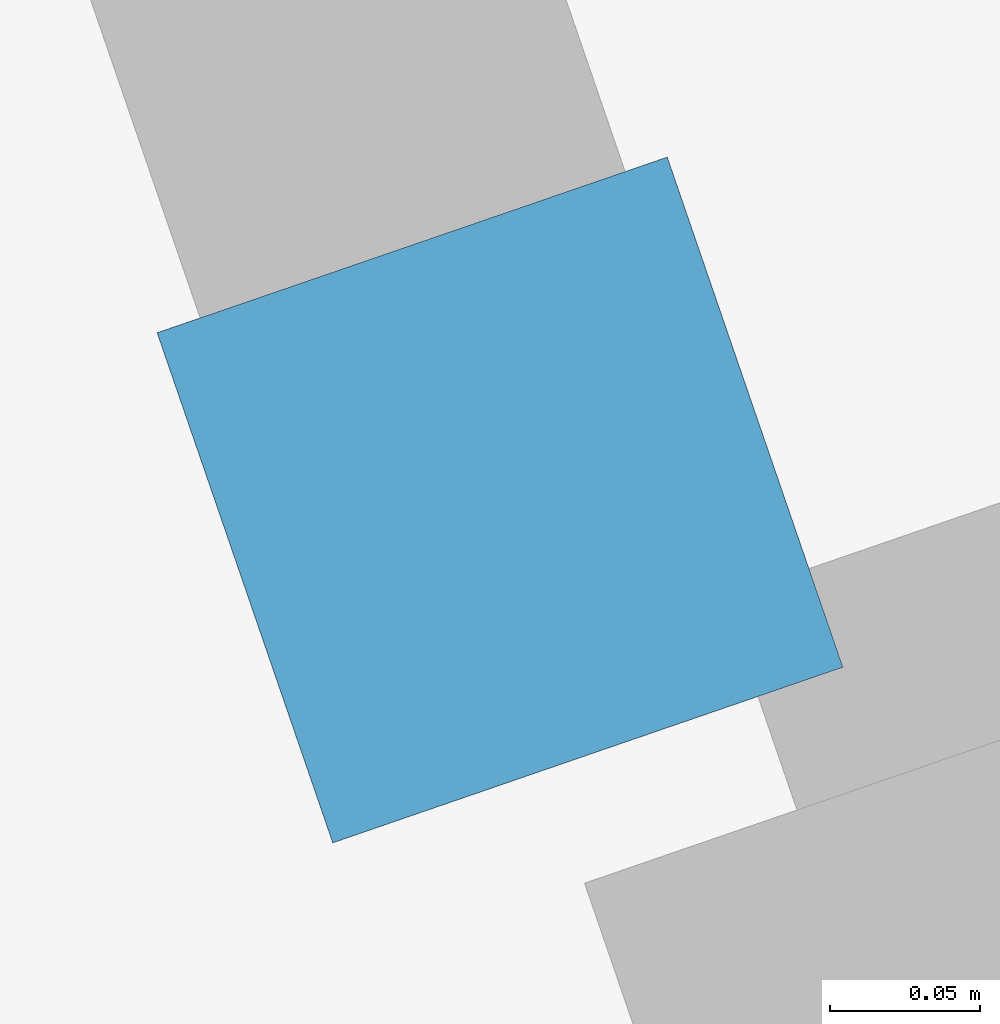
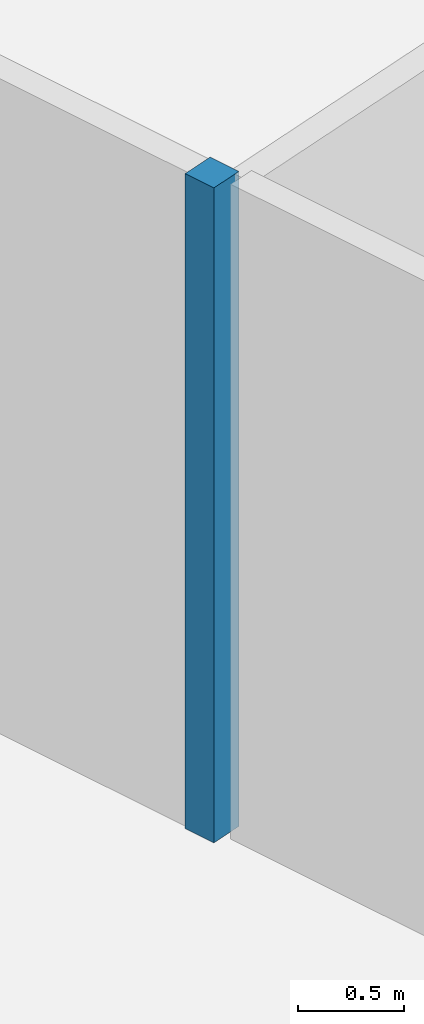
# One storey, part 3 of 15: 1 plate.
"""IFC4 building model written with IfcOpenShell, lengths in metres."""

from ifc_helpers import new_model, si_unit, direction, frame, origin, origin_2d, place, context, subcontext, project, spatial, rectangle, extrude, material, layer, layer_set, type_object, element, save


model = new_model("IFC4")

# Units and contexts
model_context = context("Model", 3, precision=1e-05, world=origin(), true_north=direction((0.0, 1.0)))
body_context = subcontext(model_context, "Body", "Model", "MODEL_VIEW")
ifc_project = project(units=[si_unit("LENGTHUNIT", "METRE"), si_unit("AREAUNIT", "SQUARE_METRE"), si_unit("VOLUMEUNIT", "CUBIC_METRE"), si_unit("PLANEANGLEUNIT", "RADIAN"), si_unit("MASSUNIT", "GRAM", prefix="KILO")], contexts=[model_context])

# Site, building, storey
site_placement = place(None, origin())
site = spatial("IfcSite", under=ifc_project, at=site_placement, CompositionType="ELEMENT")
building_placement = place(site_placement, origin())
building = spatial("IfcBuilding", under=site, at=building_placement, Name="Gaonmaruhae Medical Tower", CompositionType="ELEMENT")
storey_placement = place(building_placement, frame((0.0, 0.0, 104.39990234375)))
storey = spatial("IfcBuildingStorey", under=building, at=storey_placement, Name="L24", CompositionType="ELEMENT", Elevation=104.39990234375)

# Plate
ifc_material = material(Name="Anodised aluminium 6063-T6", Category="aluminium")
ifc_layer = layer(ifc_material, 0.011962890625)
ifc_layer_set = layer_set([ifc_layer], Name="Anodised aluminium 6063-T6")
plate_type = type_object("IfcPlateType", Name="PP-01 Interior Partition Corner Stiffener Plate", PredefinedType="SHEET", material=ifc_layer_set)
plate_placement = place(storey_placement, frame((18.659912109375, 21.96142578125, 0.0), z_axis=(0.0, 0.0, 1.0), x_axis=(-0.325535149434, 0.945529939496, 0.0)))
element("IfcPlate", 1, at=plate_placement, inside=storey, type_object=plate_type, Name="L24 Partition End Jamb Post Plate PLT-L24-ENDP-PW094-0", PredefinedType="SHEET", context=body_context, shape_type="SweptSolid", body=[
    extrude(rectangle(XDim=0.179931640625, YDim=0.179931640625, at=origin_2d()), origin(), (0.0, 0.0, 1.0), 3.780029296875),
])

save(model, "model.ifc")
